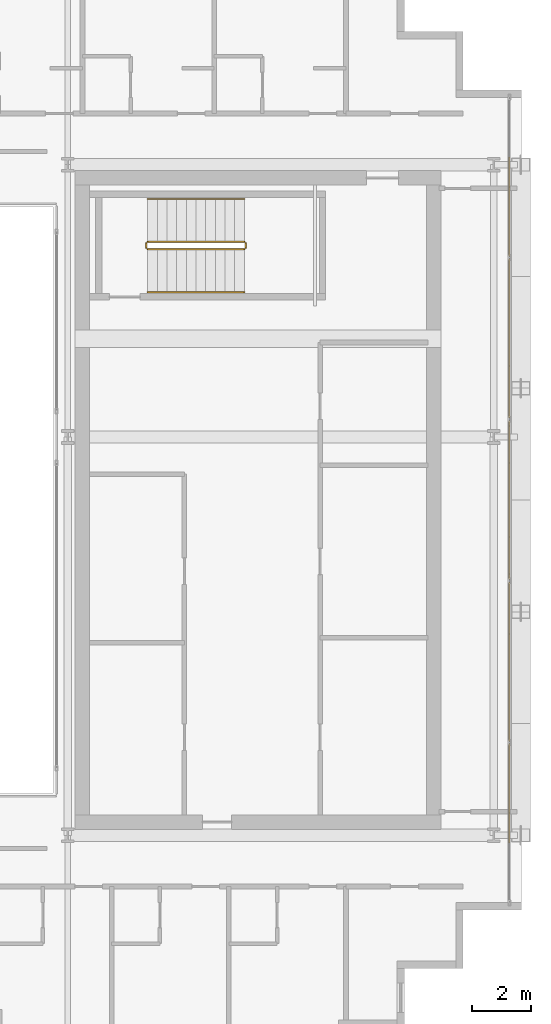
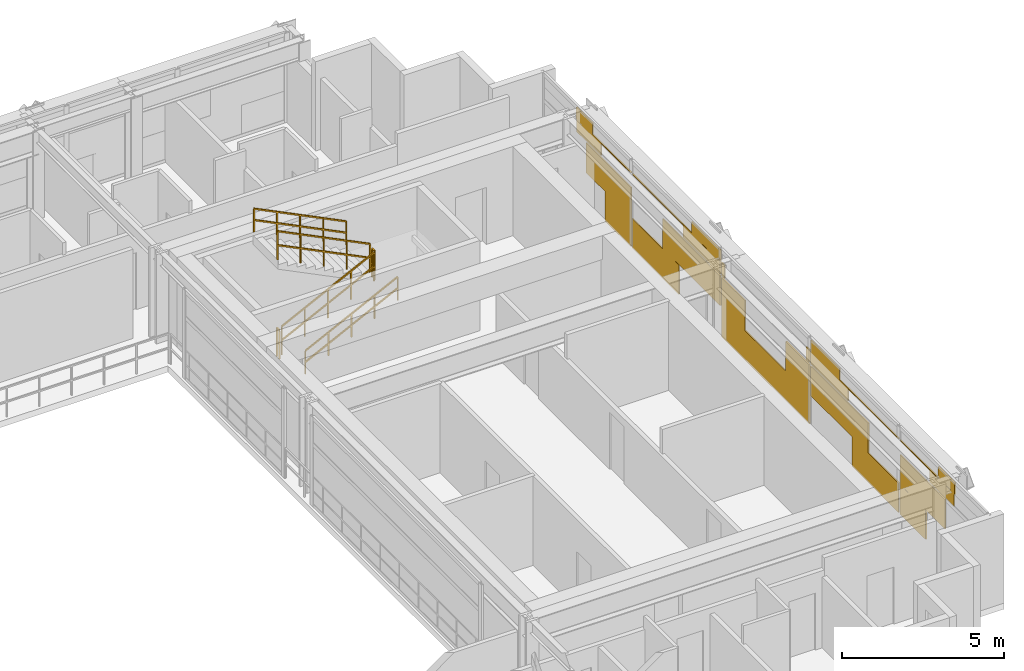
# One storey, part 37 of 38: 6 railings, 1 covering.
"""IFC4 building model written with IfcOpenShell, lengths in metres."""

from ifc_helpers import new_model, si_unit, direction, frame, origin, origin_2d, place, context, subcontext, project, spatial, rectangle, extrude, material, layer, layer_set, type_object, element, save


model = new_model("IFC4")

# Units and contexts
model_context = context("Model", 3, precision=1e-05, world=origin(), true_north=direction((0.0, 1.0)))
body_context = subcontext(model_context, "Body", "Model", "MODEL_VIEW")
ifc_project = project(units=[si_unit("LENGTHUNIT", "METRE"), si_unit("AREAUNIT", "SQUARE_METRE"), si_unit("VOLUMEUNIT", "CUBIC_METRE"), si_unit("PLANEANGLEUNIT", "RADIAN"), si_unit("MASSUNIT", "GRAM", prefix="KILO")], contexts=[model_context])

# Site, building, storey
site_placement = place(None, origin())
site = spatial("IfcSite", under=ifc_project, at=site_placement, CompositionType="ELEMENT")
building_placement = place(site_placement, origin())
building = spatial("IfcBuilding", under=site, at=building_placement, Name="Ocotamira Hotel", CompositionType="ELEMENT")
storey_placement = place(building_placement, frame((0.0, 0.0, 170.39990234375)))
storey = spatial("IfcBuildingStorey", under=building, at=storey_placement, Name="L42", CompositionType="ELEMENT", Elevation=170.39990234375)

# Covering
ifc_material_1 = material(Name="Insulated pale-metal aluminium spandrel panel", Category="aluminium")
ifc_layer = layer(ifc_material_1, 0.044921875)
ifc_layer_set = layer_set([ifc_layer], Name="Insulated pale-metal aluminium spandrel panel")
covering_type = type_object("IfcCoveringType", Name="COV-INFILL-45", PredefinedType="CLADDING", material=ifc_layer_set)
covering_placement = place(storey_placement, origin())
element("IfcCovering", 1, at=covering_placement, inside=storey, type_object=covering_type, Name="L42 Curtain Wall Infill CW-4 CW-L42-E", PredefinedType="CLADDING", context=body_context, shape_type="SweptSolid", body=[
    extrude(rectangle(XDim=2.782958984375, YDim=0.044921875, at=origin_2d()), frame((55.580078125, 16.2880859375, 1.1943359375), z_axis=(0.0, 0.0, 1.0), x_axis=(0.0, 1.0, 0.0)), (0.0, 0.0, 1.0), 1.117919921875),
    extrude(rectangle(XDim=1.596923828125, YDim=0.044921875, at=origin_2d()), frame((55.580078125, 16.881103515625, 0.07568359375), z_axis=(0.0, 0.0, 1.0), x_axis=(0.0, 1.0, 0.0)), (0.0, 0.0, 1.0), 1.117919921875),
    extrude(rectangle(XDim=3.38720703125, YDim=0.044921875, at=origin_2d()), frame((55.580078125, 15.98583984375, 2.848876953125), z_axis=(0.0, 0.0, 1.0), x_axis=(0.0, 1.0, 0.0)), (0.0, 0.0, 1.0), 0.033203125),
    extrude(rectangle(XDim=1.019287109375, YDim=0.044921875, at=origin_2d()), frame((55.580078125, 14.8017578125, 2.883056640625), z_axis=(0.0, 0.0, 1.0), x_axis=(0.0, 1.0, 0.0)), (0.0, 0.0, 1.0), 0.41162109375),
    extrude(rectangle(XDim=1.507568359375, YDim=0.044921875, at=origin_2d()), frame((55.580078125, 15.082275390625, 2.38818359375), z_axis=(0.0, 0.0, 1.0), x_axis=(0.0, 1.0, 0.0)), (0.0, 0.0, 1.0), 0.459716796875),
    extrude(rectangle(XDim=2.89013671875, YDim=0.044921875, at=origin_2d()), frame((55.580078125, 19.20556640625, 0.07568359375), z_axis=(0.0, 0.0, 1.0), x_axis=(0.0, 1.0, 0.0)), (0.0, 0.0, 1.0), 1.117919921875),
    extrude(rectangle(XDim=3.568115234375, YDim=0.044921875, at=origin_2d()), frame((55.580078125, 21.41552734375, 1.1943359375), z_axis=(0.0, 0.0, 1.0), x_axis=(0.0, 1.0, 0.0)), (0.0, 0.0, 1.0), 1.117919921875),
    extrude(rectangle(XDim=5.43896484375, YDim=0.044921875, at=origin_2d()), frame((55.580078125, 20.47998046875, 2.848876953125), z_axis=(0.0, 0.0, 1.0), x_axis=(0.0, 1.0, 0.0)), (0.0, 0.0, 1.0), 0.033203125),
    extrude(rectangle(XDim=2.302490234375, YDim=0.044921875, at=origin_2d()), frame((55.580078125, 22.04833984375, 2.38818359375), z_axis=(0.0, 0.0, 1.0), x_axis=(0.0, 1.0, 0.0)), (0.0, 0.0, 1.0), 0.459716796875),
    extrude(rectangle(XDim=1.777587890625, YDim=0.044921875, at=origin_2d()), frame((55.580078125, 22.310791015625, 2.883056640625), z_axis=(0.0, 0.0, 1.0), x_axis=(0.0, 1.0, 0.0)), (0.0, 0.0, 1.0), 0.41162109375),
    extrude(rectangle(XDim=5.43896484375, YDim=0.044921875, at=origin_2d()), frame((55.580078125, 26.0, 0.07568359375), z_axis=(0.0, 0.0, 1.0), x_axis=(0.0, 1.0, 0.0)), (0.0, 0.0, 1.0), 1.117919921875),
    extrude(rectangle(XDim=1.45458984375, YDim=0.044921875, at=origin_2d()), frame((55.580078125, 24.0078125, 1.1943359375), z_axis=(0.0, 0.0, 1.0), x_axis=(0.0, 1.0, 0.0)), (0.0, 0.0, 1.0), 1.117919921875),
    extrude(rectangle(XDim=1.45458984375, YDim=0.044921875, at=origin_2d()), frame((55.580078125, 27.9921875, 1.1943359375), z_axis=(0.0, 0.0, 1.0), x_axis=(0.0, 1.0, 0.0)), (0.0, 0.0, 1.0), 1.117919921875),
    extrude(rectangle(XDim=0.18896484375, YDim=0.044921875, at=origin_2d()), frame((55.580078125, 23.375, 2.38818359375), z_axis=(0.0, 0.0, 1.0), x_axis=(0.0, 1.0, 0.0)), (0.0, 0.0, 1.0), 0.493896484375),
    extrude(rectangle(XDim=0.18896484375, YDim=0.044921875, at=origin_2d()), frame((55.580078125, 28.625, 2.38818359375), z_axis=(0.0, 0.0, 1.0), x_axis=(0.0, 1.0, 0.0)), (0.0, 0.0, 1.0), 0.493896484375),
    extrude(rectangle(XDim=3.568115234375, YDim=0.044921875, at=origin_2d()), frame((55.580078125, 30.58447265625, 1.1943359375), z_axis=(0.0, 0.0, 1.0), x_axis=(0.0, 1.0, 0.0)), (0.0, 0.0, 1.0), 1.117919921875),
    extrude(rectangle(XDim=2.89013671875, YDim=0.044921875, at=origin_2d()), frame((55.580078125, 32.79443359375, 0.07568359375), z_axis=(0.0, 0.0, 1.0), x_axis=(0.0, 1.0, 0.0)), (0.0, 0.0, 1.0), 1.117919921875),
    extrude(rectangle(XDim=2.302490234375, YDim=0.044921875, at=origin_2d()), frame((55.580078125, 29.95166015625, 2.38818359375), z_axis=(0.0, 0.0, 1.0), x_axis=(0.0, 1.0, 0.0)), (0.0, 0.0, 1.0), 0.459716796875),
    extrude(rectangle(XDim=5.43896484375, YDim=0.044921875, at=origin_2d()), frame((55.580078125, 31.52001953125, 2.848876953125), z_axis=(0.0, 0.0, 1.0), x_axis=(0.0, 1.0, 0.0)), (0.0, 0.0, 1.0), 0.033203125),
    extrude(rectangle(XDim=1.777587890625, YDim=0.044921875, at=origin_2d()), frame((55.580078125, 29.689208984375, 2.883056640625), z_axis=(0.0, 0.0, 1.0), x_axis=(0.0, 1.0, 0.0)), (0.0, 0.0, 1.0), 0.41162109375),
    extrude(rectangle(XDim=1.596923828125, YDim=0.044921875, at=origin_2d()), frame((55.580078125, 35.118896484375, 0.07568359375), z_axis=(0.0, 0.0, 1.0), x_axis=(0.0, 1.0, 0.0)), (0.0, 0.0, 1.0), 1.117919921875),
    extrude(rectangle(XDim=2.782958984375, YDim=0.044921875, at=origin_2d()), frame((55.580078125, 35.7119140625, 1.1943359375), z_axis=(0.0, 0.0, 1.0), x_axis=(0.0, 1.0, 0.0)), (0.0, 0.0, 1.0), 1.117919921875),
    extrude(rectangle(XDim=3.38720703125, YDim=0.044921875, at=origin_2d()), frame((55.580078125, 36.01416015625, 2.848876953125), z_axis=(0.0, 0.0, 1.0), x_axis=(0.0, 1.0, 0.0)), (0.0, 0.0, 1.0), 0.033203125),
    extrude(rectangle(XDim=1.507568359375, YDim=0.044921875, at=origin_2d()), frame((55.580078125, 36.917724609375, 2.38818359375), z_axis=(0.0, 0.0, 1.0), x_axis=(0.0, 1.0, 0.0)), (0.0, 0.0, 1.0), 0.459716796875),
    extrude(rectangle(XDim=1.019287109375, YDim=0.044921875, at=origin_2d()), frame((55.580078125, 37.1982421875, 2.883056640625), z_axis=(0.0, 0.0, 1.0), x_axis=(0.0, 1.0, 0.0)), (0.0, 0.0, 1.0), 0.41162109375),
])

# Railings
ifc_material_2 = material(Name="Brushed stainless steel handrail", Category="steel")
railing_type_1 = type_object("IfcRailingType", Name="RL-HAND-900", PredefinedType="HANDRAIL", material=ifc_material_2)
railing_1_placement = place(storey_placement, frame((43.22998046875, 33.10009765625, 0.327392578125)))
element("IfcRailing", 2, at=railing_1_placement, inside=storey, type_object=railing_type_1, Name="L42 ST-4 stair handrail 1", PredefinedType="HANDRAIL", context=body_context, shape_type="SweptSolid", body=[
    extrude(rectangle(XDim=0.048095703125, YDim=0.048095703125, at=origin_2d()), frame((0.0, 0.0, 0.8759765625), z_axis=(0.895920123917, 0.0, 0.444215186098), x_axis=(0.0, 1.0, 0.0)), (0.0, 0.0, 1.0), 3.683349609375),
    extrude(rectangle(XDim=0.048095703125, YDim=0.048095703125, at=origin_2d()), frame((0.0, 0.0, 0.449951171875), z_axis=(0.895920123917, 0.0, 0.444215186098), x_axis=(0.0, 1.0, 0.0)), (0.0, 0.0, 1.0), 3.683349609375),
    extrude(rectangle(XDim=0.0419921875, YDim=0.0419921875, at=origin_2d()), origin(), (0.0, 0.0, 1.0), 0.851806640625),
    extrude(rectangle(XDim=0.0419921875, YDim=0.0419921875, at=origin_2d()), frame((0.824951171875, 0.0, 0.4091796875)), (0.0, 0.0, 1.0), 0.851806640625),
    extrude(rectangle(XDim=0.0419921875, YDim=0.0419921875, at=origin_2d()), frame((1.64990234375, 0.0, 0.818115234375)), (0.0, 0.0, 1.0), 0.851806640625),
    extrude(rectangle(XDim=0.0419921875, YDim=0.0419921875, at=origin_2d()), frame((2.47509765625, 0.0, 1.22705078125)), (0.0, 0.0, 1.0), 0.851806640625),
    extrude(rectangle(XDim=0.0419921875, YDim=0.0419921875, at=origin_2d()), frame((3.300048828125, 0.0, 1.63623046875)), (0.0, 0.0, 1.0), 0.851806640625),
])
railing_2_placement = place(storey_placement, frame((46.530029296875, 36.280029296875, 2.12744140625)))
element("IfcRailing", 3, at=railing_2_placement, inside=storey, type_object=railing_type_1, Name="L42 ST-4 stair handrail 2", PredefinedType="HANDRAIL", context=body_context, shape_type="SweptSolid", body=[
    extrude(rectangle(XDim=0.048095703125, YDim=0.048095703125, at=origin_2d()), frame((0.0, 0.0, 0.8759765625), z_axis=(-0.895920123917, 0.0, 0.444215186098), x_axis=(0.0, -1.0, 0.0)), (0.0, 0.0, 1.0), 3.683349609375),
    extrude(rectangle(XDim=0.048095703125, YDim=0.048095703125, at=origin_2d()), frame((0.0, 0.0, 0.449951171875), z_axis=(-0.895920123917, 0.0, 0.444215186098), x_axis=(0.0, -1.0, 0.0)), (0.0, 0.0, 1.0), 3.683349609375),
    extrude(rectangle(XDim=0.0419921875, YDim=0.0419921875, at=origin_2d()), origin(), (0.0, 0.0, 1.0), 0.851806640625),
    extrude(rectangle(XDim=0.0419921875, YDim=0.0419921875, at=origin_2d()), frame((-0.824951171875, 0.0, 0.4091796875)), (0.0, 0.0, 1.0), 0.851806640625),
    extrude(rectangle(XDim=0.0419921875, YDim=0.0419921875, at=origin_2d()), frame((-1.64990234375, 0.0, 0.818115234375)), (0.0, 0.0, 1.0), 0.851806640625),
    extrude(rectangle(XDim=0.0419921875, YDim=0.0419921875, at=origin_2d()), frame((-2.47509765625, 0.0, 1.22705078125)), (0.0, 0.0, 1.0), 0.851806640625),
    extrude(rectangle(XDim=0.0419921875, YDim=0.0419921875, at=origin_2d()), frame((-3.300048828125, 0.0, 1.63623046875)), (0.0, 0.0, 1.0), 0.851806640625),
])
ifc_material_3 = material(Name="Painted steel stair guardrail", Category="steel")
railing_type_2 = type_object("IfcRailingType", Name="RL-STAIR-1100", PredefinedType="GUARDRAIL", material=ifc_material_3)
railing_3_placement = place(storey_placement, frame((43.22998046875, 34.56005859375, 0.163818359375)))
element("IfcRailing", 4, at=railing_3_placement, inside=storey, type_object=railing_type_2, Name="L42 ST-4 stair guard 1", PredefinedType="GUARDRAIL", context=body_context, shape_type="SweptSolid", body=[
    extrude(rectangle(XDim=0.048095703125, YDim=0.048095703125, at=origin_2d()), frame((0.0, 0.0, 1.076171875), z_axis=(0.895920123917, 0.0, 0.444215186098), x_axis=(0.0, 1.0, 0.0)), (0.0, 0.0, 1.0), 3.683349609375),
    extrude(rectangle(XDim=0.048095703125, YDim=0.048095703125, at=origin_2d()), frame((0.0, 0.0, 0.550048828125), z_axis=(0.895920123917, 0.0, 0.444215186098), x_axis=(0.0, 1.0, 0.0)), (0.0, 0.0, 1.0), 3.683349609375),
    extrude(rectangle(XDim=0.0419921875, YDim=0.0419921875, at=origin_2d()), origin(), (0.0, 0.0, 1.0), 1.052001953125),
    extrude(rectangle(XDim=0.0419921875, YDim=0.0419921875, at=origin_2d()), frame((0.824951171875, 0.0, 0.4091796875)), (0.0, 0.0, 1.0), 1.052001953125),
    extrude(rectangle(XDim=0.0419921875, YDim=0.0419921875, at=origin_2d()), frame((1.64990234375, 0.0, 0.818115234375)), (0.0, 0.0, 1.0), 1.052001953125),
    extrude(rectangle(XDim=0.0419921875, YDim=0.0419921875, at=origin_2d()), frame((2.47509765625, 0.0, 1.22705078125)), (0.0, 0.0, 1.0), 1.052001953125),
    extrude(rectangle(XDim=0.0419921875, YDim=0.0419921875, at=origin_2d()), frame((3.300048828125, 0.0, 1.63623046875)), (0.0, 0.0, 1.0), 1.052001953125),
])
railing_4_placement = place(storey_placement, frame((46.580078125, 34.610107421875, 1.800048828125)))
element("IfcRailing", 5, at=railing_4_placement, inside=storey, type_object=railing_type_2, Name="L42 ST-4 stair guard 2", PredefinedType="GUARDRAIL", context=body_context, shape_type="SweptSolid", body=[
    extrude(rectangle(XDim=0.048095703125, YDim=0.048095703125, at=origin_2d()), frame((0.0, 0.0, 1.076171875), z_axis=(0.0, 1.0, 0.0), x_axis=(-1.0, 0.0, 0.0)), (0.0, 0.0, 1.0), 0.159912109375),
    extrude(rectangle(XDim=0.048095703125, YDim=0.048095703125, at=origin_2d()), frame((0.0, 0.0, 0.550048828125), z_axis=(0.0, 1.0, 0.0), x_axis=(-1.0, 0.0, 0.0)), (0.0, 0.0, 1.0), 0.159912109375),
    extrude(rectangle(XDim=0.0419921875, YDim=0.0419921875, at=origin_2d()), origin(), (0.0, 0.0, 1.0), 1.052001953125),
    extrude(rectangle(XDim=0.0419921875, YDim=0.0419921875, at=origin_2d()), frame((0.0, 0.159912109375, 0.0)), (0.0, 0.0, 1.0), 1.052001953125),
])
railing_5_placement = place(storey_placement, frame((46.530029296875, 34.820068359375, 1.963623046875)))
element("IfcRailing", 6, at=railing_5_placement, inside=storey, type_object=railing_type_2, Name="L42 ST-4 stair guard 3", PredefinedType="GUARDRAIL", context=body_context, shape_type="SweptSolid", body=[
    extrude(rectangle(XDim=0.048095703125, YDim=0.048095703125, at=origin_2d()), frame((0.0, 0.0, 1.076171875), z_axis=(-0.895893744519, 0.0, 0.4442683857), x_axis=(0.0, -1.0, 0.0)), (0.0, 0.0, 1.0), 3.68359375),
    extrude(rectangle(XDim=0.048095703125, YDim=0.048095703125, at=origin_2d()), frame((0.0, 0.0, 0.550048828125), z_axis=(-0.895893744519, 0.0, 0.4442683857), x_axis=(0.0, -1.0, 0.0)), (0.0, 0.0, 1.0), 3.68359375),
    extrude(rectangle(XDim=0.0419921875, YDim=0.0419921875, at=origin_2d()), origin(), (0.0, 0.0, 1.0), 1.052001953125),
    extrude(rectangle(XDim=0.0419921875, YDim=0.0419921875, at=origin_2d()), frame((-0.824951171875, 0.0, 0.4091796875)), (0.0, 0.0, 1.0), 1.052001953125),
    extrude(rectangle(XDim=0.0419921875, YDim=0.0419921875, at=origin_2d()), frame((-1.64990234375, 0.0, 0.818359375)), (0.0, 0.0, 1.0), 1.052001953125),
    extrude(rectangle(XDim=0.0419921875, YDim=0.0419921875, at=origin_2d()), frame((-2.47509765625, 0.0, 1.227294921875)), (0.0, 0.0, 1.0), 1.052001953125),
    extrude(rectangle(XDim=0.0419921875, YDim=0.0419921875, at=origin_2d()), frame((-3.300048828125, 0.0, 1.636474609375)), (0.0, 0.0, 1.0), 1.052001953125),
])
railing_6_placement = place(storey_placement, frame((43.179931640625, 34.610107421875, 0.0)))
element("IfcRailing", 7, at=railing_6_placement, inside=storey, type_object=railing_type_2, Name="L42 ST-4 stair guard 4", PredefinedType="GUARDRAIL", context=body_context, shape_type="SweptSolid", body=[
    extrude(rectangle(XDim=0.048095703125, YDim=0.048095703125, at=origin_2d()), frame((0.0, 0.0, 1.076171875), z_axis=(0.0, 1.0, 0.0), x_axis=(-1.0, 0.0, 0.0)), (0.0, 0.0, 1.0), 0.159912109375),
    extrude(rectangle(XDim=0.048095703125, YDim=0.048095703125, at=origin_2d()), frame((0.0, 0.0, 0.550048828125), z_axis=(0.0, 1.0, 0.0), x_axis=(-1.0, 0.0, 0.0)), (0.0, 0.0, 1.0), 0.159912109375),
    extrude(rectangle(XDim=0.0419921875, YDim=0.0419921875, at=origin_2d()), origin(), (0.0, 0.0, 1.0), 1.052001953125),
    extrude(rectangle(XDim=0.0419921875, YDim=0.0419921875, at=origin_2d()), frame((0.0, 0.159912109375, 0.0)), (0.0, 0.0, 1.0), 1.052001953125),
])

save(model, "model.ifc")
